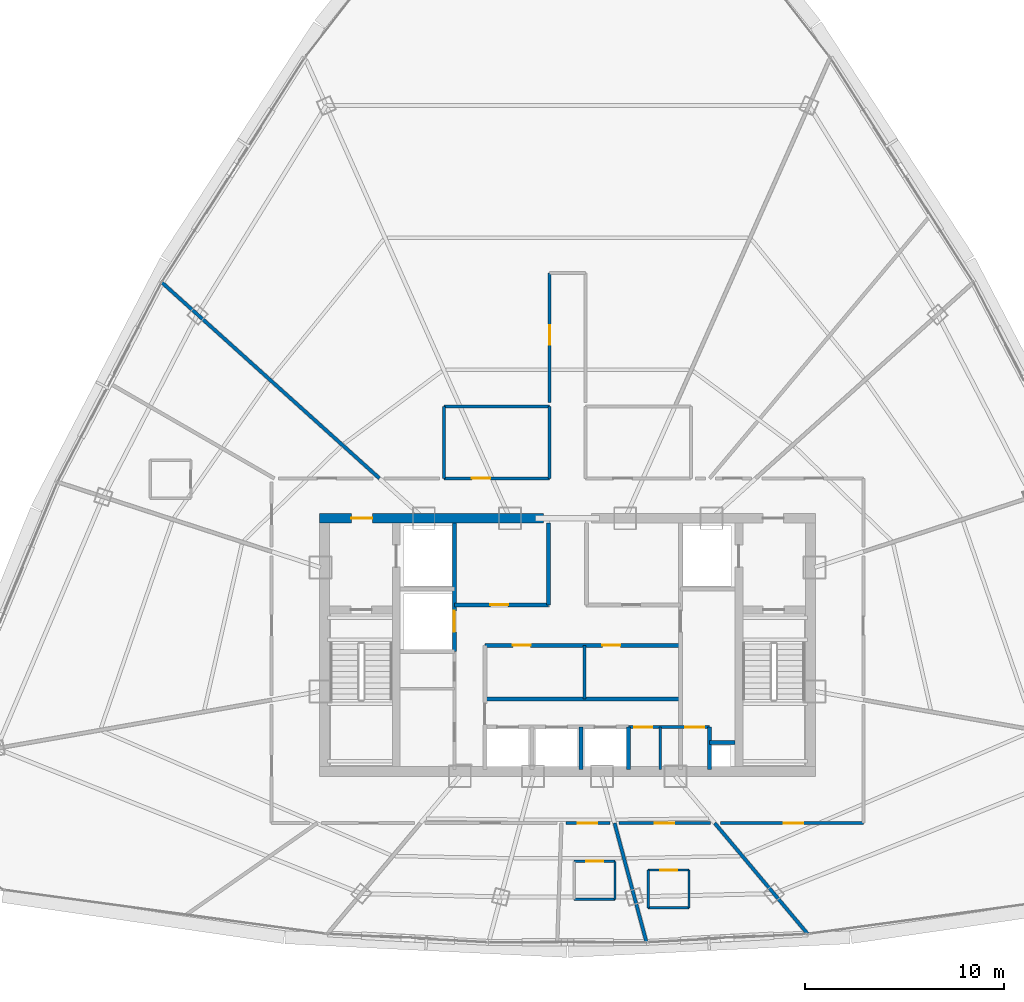
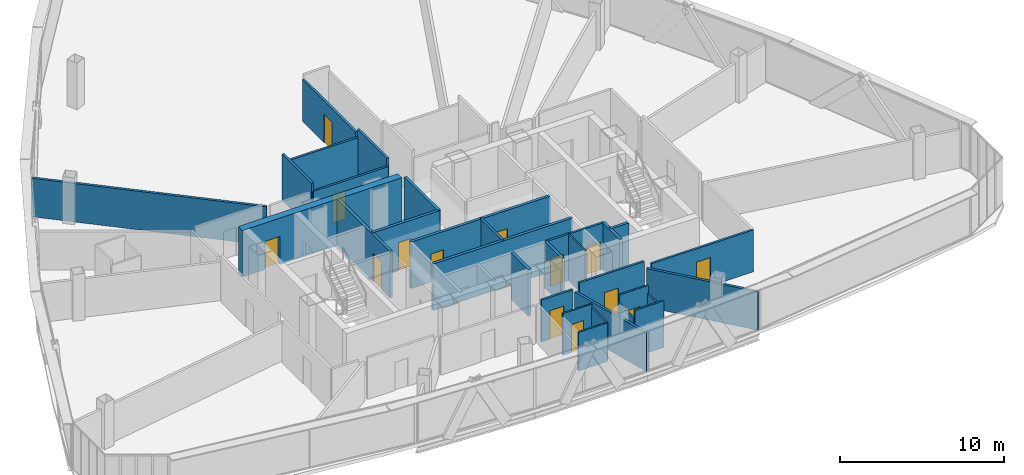
# One storey, part 35 of 40: 31 walls, 14 doors, 14 openings.
"""IFC4 building model written with IfcOpenShell, lengths in metres."""

from ifc_helpers import new_model, si_unit, direction, frame, frame_2d, origin, origin_with_axes, place, context, subcontext, project, spatial, rectangle, extrude, source, transform, mapped, material, layer, layer_set, type_object, element, fill, save


model = new_model("IFC4")

# Units and contexts
model_context = context("Model", 3, precision=1e-05, world=origin(), true_north=direction((0.0, 1.0)))
body_context = subcontext(model_context, "Body", "Model", "MODEL_VIEW")
ifc_project = project(units=[si_unit("LENGTHUNIT", "METRE"), si_unit("AREAUNIT", "SQUARE_METRE"), si_unit("VOLUMEUNIT", "CUBIC_METRE"), si_unit("PLANEANGLEUNIT", "RADIAN"), si_unit("MASSUNIT", "GRAM", prefix="KILO"), si_unit("THERMODYNAMICTEMPERATUREUNIT", "KELVIN"), si_unit("POWERUNIT", "WATT")], contexts=[model_context])

# Site, building, storey
site_placement = place(None, origin())
site = spatial("IfcSite", under=ifc_project, at=site_placement, CompositionType="ELEMENT")
building_placement = place(site_placement, origin())
building = spatial("IfcBuilding", under=site, at=building_placement, Name="Yunzhuo Pagoda Commons", CompositionType="ELEMENT")
storey_placement = place(building_placement, frame((0.0, 0.0, 292.47998046875)))
storey = spatial("IfcBuildingStorey", under=building, at=storey_placement, Name="L73", CompositionType="ELEMENT", Elevation=292.47998046875)

# Wall, opening, door
ifc_material_1 = material(Name="Concrete C50", Category="concrete")
ifc_layer_1 = layer(ifc_material_1, 0.5)
ifc_layer_set_1 = layer_set([ifc_layer_1], Name="Concrete C50")
wall_type_1 = type_object("IfcWallType", Name="W-C03 Upper Core Shear Wall 500", PredefinedType="SHEAR", material=ifc_layer_set_1)
wall_1_placement = place(storey_placement, frame((35.550048828125, 40.199951171875, 0.0), z_axis=(0.0, 0.0, 1.0), x_axis=(1.0, 0.0, 0.0)))
wall_1 = element("IfcWall", 1, at=wall_1_placement, inside=storey, type_object=wall_type_1, Name="L73 core shear wall NW", PredefinedType="SHEAR", context=body_context, shape_type="SweptSolid", body=[
    extrude(rectangle(XDim=11.25, YDim=0.5, at=frame_2d((5.625, 0.0))), origin(), (0.0, 0.0, 1.0), 3.469970703125),
])
opening_1_placement = place(wall_1_placement, frame((1.60009765625, 0.0, 0.0)))
opening_1 = element("IfcOpeningElement", 2, at=opening_1_placement, cuts=wall_1, Name="Opening D-02", PredefinedType="OPENING", context=body_context, shape_type="SweptSolid", body=[
    extrude(rectangle(XDim=1.050048828125, YDim=2.10009765625, at=frame_2d((0.52490234375, 1.050048828125))), frame((0.0, 0.260009765625, 0.0), z_axis=(0.0, -1.0, 0.0), x_axis=(1.0, 0.0, 0.0)), (0.0, 0.0, 1.0), 0.52001953125),
])
ifc_material_2 = material(Name="Galvanized fire-resisting metal leaf")
door_type_1 = type_object("IfcDoorType", Name="D-02 Firefighting Lobby & Refuge Fire Door 1050x2100", OperationType="NOTDEFINED", PredefinedType="DOOR", material=ifc_material_2)
shared_shape_1 = source(origin(), body_context, "Body", "SweptSolid", [
    extrude(rectangle(XDim=1.050048828125, YDim=2.10009765625, at=frame_2d((0.52490234375, 1.050048828125))), frame((0.0, 0.02490234375, 0.0), z_axis=(0.0, -1.0, 0.0), x_axis=(1.0, 0.0, 0.0)), (0.0, 0.0, 1.0), 0.050048828125),
])
door_1_placement = place(opening_1_placement, frame((1.050048828125, 0.0, 0.0), z_axis=(0.0, 0.0, 1.0), x_axis=(-1.0, 0.0, 0.0)))
door_1 = element("IfcDoor", 3, at=door_1_placement, inside=storey, type_object=door_type_1, Name="L73 Firefighting Lobby 1 fire door", OperationType="SINGLE_SWING_LEFT", OverallHeight=2.10009765625, OverallWidth=1.050048828125, PredefinedType="DOOR", context=body_context, shape_type="MappedRepresentation", body=[
    mapped(shared_shape_1, transform((0.0, 0.0, 0.0), scale=1.0)),
])
fill(opening_1, door_1)

# Wall
ifc_material_3 = material(Name="Gypsum plasterboard on acoustic stud")
ifc_layer_2 = layer(ifc_material_3, 0.14990234375)
ifc_layer_set_2 = layer_set([ifc_layer_2], Name="Gypsum plasterboard on acoustic stud")
wall_type_2 = type_object("IfcWallType", Name="W-COR3 High-Zone Rated Corridor Wall 150", PredefinedType="PARTITIONING", material=ifc_layer_set_2)
wall_2_placement = place(storey_placement, frame((48.85009765625, 31.1201171875, 0.0), z_axis=(0.0, 0.0, 1.0), x_axis=(0.0, 1.0, 0.0)))
element("IfcWall", 4, at=wall_2_placement, inside=storey, type_object=wall_type_2, Name="L73 interior wall IW-L73-FRMD", PredefinedType="PARTITIONING", context=body_context, shape_type="SweptSolid", body=[
    extrude(rectangle(XDim=2.699951171875, YDim=0.14990234375, at=frame_2d((1.35009765625, 0.0))), origin(), (0.0, 0.0, 1.0), 3.469970703125),
])

# Wall, openings, doors
wall_3_placement = place(storey_placement, frame((51.050048828125, 29.719970703125, 0.0), z_axis=(0.0, 0.0, 1.0), x_axis=(1.0, 0.0, 0.0)))
wall_3 = element("IfcWall", 5, at=wall_3_placement, inside=storey, type_object=wall_type_2, Name="L73 interior wall IW-L73-CSES", PredefinedType="PARTITIONING", context=body_context, shape_type="SweptSolid", body=[
    extrude(rectangle(XDim=4.070068359375, YDim=0.14990234375, at=frame_2d((2.03515625, 0.0))), origin(), (0.0, 0.0, 1.0), 3.469970703125),
])
opening_2_placement = place(wall_3_placement, frame((0.300048828125, 0.0, 0.0)))
opening_2 = element("IfcOpeningElement", 6, at=opening_2_placement, cuts=wall_3, Name="Opening D-03", PredefinedType="OPENING", context=body_context, shape_type="SweptSolid", body=[
    extrude(rectangle(XDim=0.89990234375, YDim=2.10009765625, at=frame_2d((0.449951171875, 1.050048828125))), frame((0.0, 0.0849609375, 0.0), z_axis=(0.0, -1.0, 0.0), x_axis=(1.0, 0.0, 0.0)), (0.0, 0.0, 1.0), 0.169921875),
])
opening_3_placement = place(wall_3_placement, frame((2.860107421875, 0.0, 0.0)))
opening_3 = element("IfcOpeningElement", 7, at=opening_3_placement, cuts=wall_3, Name="Opening D-11", PredefinedType="OPENING", context=body_context, shape_type="SweptSolid", body=[
    extrude(rectangle(XDim=0.93994140625, YDim=2.10009765625, at=frame_2d((0.469970703125, 1.050048828125))), frame((0.0, 0.0849609375, 0.0), z_axis=(0.0, -1.0, 0.0), x_axis=(1.0, 0.0, 0.0)), (0.0, 0.0, 1.0), 0.169921875),
])
door_type_2 = type_object("IfcDoorType", Name="D-03 Core Service Fire Door 900x2100", OperationType="NOTDEFINED", PredefinedType="DOOR", material=ifc_material_2)
shared_shape_2 = source(origin(), body_context, "Body", "SweptSolid", [
    extrude(rectangle(XDim=0.89990234375, YDim=2.10009765625, at=frame_2d((0.449951171875, 1.050048828125))), frame((0.0, 0.02490234375, 0.0), z_axis=(0.0, -1.0, 0.0), x_axis=(1.0, 0.0, 0.0)), (0.0, 0.0, 1.0), 0.050048828125),
])
door_2_placement = place(opening_2_placement, origin_with_axes())
door_2 = element("IfcDoor", 8, at=door_2_placement, inside=storey, type_object=door_type_2, Name="L73 cleaner door", OperationType="SINGLE_SWING_LEFT", OverallHeight=2.10009765625, OverallWidth=0.89990234375, PredefinedType="DOOR", context=body_context, shape_type="MappedRepresentation", body=[
    mapped(shared_shape_2, transform((0.0, 0.0, 0.0), scale=1.0)),
])
fill(opening_2, door_2)
door_type_3 = type_object("IfcDoorType", Name="D-11 Accessible Washroom Fire Door 940x2100", OperationType="NOTDEFINED", PredefinedType="DOOR", material=ifc_material_2)
shared_shape_3 = source(origin(), body_context, "Body", "SweptSolid", [
    extrude(rectangle(XDim=0.93994140625, YDim=2.10009765625, at=frame_2d((0.469970703125, 1.050048828125))), frame((0.0, 0.02490234375, 0.0), z_axis=(0.0, -1.0, 0.0), x_axis=(1.0, 0.0, 0.0)), (0.0, 0.0, 1.0), 0.050048828125),
])
door_3_placement = place(opening_3_placement, origin_with_axes())
door_3 = element("IfcDoor", 9, at=door_3_placement, inside=storey, type_object=door_type_3, Name="L73 core WC door", OperationType="SINGLE_SWING_RIGHT", OverallHeight=2.10009765625, OverallWidth=0.93994140625, PredefinedType="DOOR", context=body_context, shape_type="MappedRepresentation", body=[
    mapped(shared_shape_3, transform((0.0, 0.0, 0.0), scale=1.0)),
])
fill(opening_3, door_3)

# Wall, opening, door
wall_4_placement = place(storey_placement, frame((41.800048828125, 42.199951171875, 0.0), z_axis=(0.0, 0.0, 1.0), x_axis=(1.0, 0.0, 0.0)))
wall_4 = element("IfcWall", 10, at=wall_4_placement, inside=storey, type_object=wall_type_2, Name="L73 interior wall IW-L73-TFWS", PredefinedType="PARTITIONING", context=body_context, shape_type="SweptSolid", body=[
    extrude(rectangle(XDim=5.300048828125, YDim=0.14990234375, at=frame_2d((2.64990234375, 0.0))), origin(), (0.0, 0.0, 1.0), 2.8701171875),
])
opening_4_placement = place(wall_4_placement, frame((1.39990234375, 0.0, 0.0)))
opening_4 = element("IfcOpeningElement", 11, at=opening_4_placement, cuts=wall_4, Name="Opening D-04", PredefinedType="OPENING", context=body_context, shape_type="SweptSolid", body=[
    extrude(rectangle(XDim=0.919921875, YDim=2.10009765625, at=frame_2d((0.4599609375, 1.050048828125))), frame((0.0, 0.0849609375, 0.0), z_axis=(0.0, -1.0, 0.0), x_axis=(1.0, 0.0, 0.0)), (0.0, 0.0, 1.0), 0.169921875),
])
ifc_material_4 = material(Name="Powder-coated aluminium and timber acoustic leaf", Category="wood")
door_type_4 = type_object("IfcDoorType", Name="D-04 Bedroom & Study Interior Door 920x2100", OperationType="NOTDEFINED", PredefinedType="DOOR", material=ifc_material_4)
shared_shape_4 = source(origin(), body_context, "Body", "SweptSolid", [
    extrude(rectangle(XDim=0.919921875, YDim=2.10009765625, at=frame_2d((0.4599609375, 1.050048828125))), frame((0.0, 0.02490234375, 0.0), z_axis=(0.0, -1.0, 0.0), x_axis=(1.0, 0.0, 0.0)), (0.0, 0.0, 1.0), 0.050048828125),
])
door_4_placement = place(opening_4_placement, frame((0.919921875, 0.0, 0.0), z_axis=(0.0, 0.0, 1.0), x_axis=(-1.0, 0.0, 0.0)))
door_4 = element("IfcDoor", 12, at=door_4_placement, inside=storey, type_object=door_type_4, Name="L73 laundry door", OperationType="SINGLE_SWING_LEFT", OverallHeight=2.10009765625, OverallWidth=0.919921875, PredefinedType="DOOR", context=body_context, shape_type="MappedRepresentation", body=[
    mapped(shared_shape_4, transform((0.0, 0.0, 0.0), scale=1.0)),
])
fill(opening_4, door_4)

# Walls
wall_5_placement = place(storey_placement, frame((41.800048828125, 45.800048828125, 0.0), z_axis=(0.0, 0.0, 1.0), x_axis=(1.0, 0.0, 0.0)))
element("IfcWall", 13, at=wall_5_placement, inside=storey, type_object=wall_type_2, Name="L73 interior wall IW-L73-TFWN", PredefinedType="PARTITIONING", context=body_context, shape_type="SweptSolid", body=[
    extrude(rectangle(XDim=5.300048828125, YDim=0.14990234375, at=frame_2d((2.64990234375, 0.0))), origin(), (0.0, 0.0, 1.0), 2.8701171875),
])
for number, where, z_axis, x_axis, name in (
    (14, (41.800048828125, 42.199951171875, 0.0), (0.0, 0.0, 1.0), (0.0, 1.0, 0.0), "L73 interior wall IW-L73-TFWW"),
    (15, (47.10009765625, 42.199951171875, 0.0), (0.0, 0.0, 1.0), (0.0, 1.0, 0.0), "L73 interior wall IW-L73-TFWE"),
):
    element("IfcWall", number, at=place(storey_placement, frame(where, z_axis=z_axis, x_axis=x_axis)), inside=storey, type_object=wall_type_2, Name=name, PredefinedType="PARTITIONING", context=body_context, shape_type="SweptSolid", body=[
        extrude(rectangle(XDim=3.60009765625, YDim=0.14990234375, at=frame_2d((1.800048828125, 0.0))), origin(), (0.0, 0.0, 1.0), 3.469970703125),
    ])

# Wall, opening, door
wall_6_placement = place(storey_placement, frame((47.10009765625, 46.02001953125, 0.0), z_axis=(0.0, 0.0, 1.0), x_axis=(0.0, 1.0, 0.0)))
wall_6 = element("IfcWall", 16, at=wall_6_placement, inside=storey, type_object=wall_type_2, Name="L73 interior wall IW-L73-CWL06", PredefinedType="PARTITIONING", context=body_context, shape_type="SweptSolid", body=[
    extrude(rectangle(XDim=6.47998046875, YDim=0.14990234375, at=frame_2d((3.239990234375, 0.0))), origin(), (0.0, 0.0, 1.0), 3.1201171875),
])
opening_5_placement = place(wall_6_placement, frame((2.885009765625, 0.0, 0.0)))
opening_5 = element("IfcOpeningElement", 17, at=opening_5_placement, cuts=wall_6, Name="Opening D-08", PredefinedType="OPENING", context=body_context, shape_type="SweptSolid", body=[
    extrude(rectangle(XDim=0.97998046875, YDim=2.1201171875, at=frame_2d((0.489990234375, 1.06005859375))), frame((0.0, 0.0849609375, 0.0), z_axis=(0.0, -1.0, 0.0), x_axis=(1.0, 0.0, 0.0)), (0.0, 0.0, 1.0), 0.169921875),
])
door_type_5 = type_object("IfcDoorType", Name="D-08 High-Zone Suite Entrance Fire Door 980x2120", OperationType="NOTDEFINED", PredefinedType="DOOR", material=ifc_material_2)
shared_shape_5 = source(origin(), body_context, "Body", "SweptSolid", [
    extrude(rectangle(XDim=0.97998046875, YDim=2.1201171875, at=frame_2d((0.489990234375, 1.06005859375))), frame((0.0, 0.02490234375, 0.0), z_axis=(0.0, -1.0, 0.0), x_axis=(1.0, 0.0, 0.0)), (0.0, 0.0, 1.0), 0.050048828125),
])
door_5_placement = place(opening_5_placement, origin_with_axes())
door_5 = element("IfcDoor", 18, at=door_5_placement, inside=storey, type_object=door_type_5, Name="L73 Shared Resident Kitchen and Pantry door", OperationType="SINGLE_SWING_RIGHT", OverallHeight=2.1201171875, OverallWidth=0.97998046875, PredefinedType="DOOR", context=body_context, shape_type="MappedRepresentation", body=[
    mapped(shared_shape_5, transform((0.0, 0.0, 0.0), scale=1.0)),
])
fill(opening_5, door_5)

wall_7_placement = place(storey_placement, frame((62.85009765625, 24.89990234375, 0.0), z_axis=(0.0, 0.0, 1.0), x_axis=(-1.0, 0.0, 0.0)))
wall_7 = element("IfcWall", 19, at=wall_7_placement, inside=storey, type_object=wall_type_2, Name="L73 interior wall IW-L73-CWL15", PredefinedType="PARTITIONING", context=body_context, shape_type="SweptSolid", body=[
    extrude(rectangle(XDim=7.1787109375, YDim=0.14990234375, at=frame_2d((3.58935546875, 0.0))), origin(), (0.0, 0.0, 1.0), 3.1201171875),
])
opening_6_placement = place(wall_7_placement, frame((3.028076171875, 0.0, 0.0)))
opening_6 = element("IfcOpeningElement", 20, at=opening_6_placement, cuts=wall_7, Name="Opening D-08", PredefinedType="OPENING", context=body_context, shape_type="SweptSolid", body=[
    extrude(rectangle(XDim=0.97998046875, YDim=2.1201171875, at=frame_2d((0.489990234375, 1.06005859375))), frame((0.0, 0.0849609375, 0.0), z_axis=(0.0, -1.0, 0.0), x_axis=(1.0, 0.0, 0.0)), (0.0, 0.0, 1.0), 0.169921875),
])
door_6_placement = place(opening_6_placement, origin_with_axes())
door_6 = element("IfcDoor", 21, at=door_6_placement, inside=storey, type_object=door_type_5, Name="L73 unit 14 entrance door", OperationType="SINGLE_SWING_LEFT", OverallHeight=2.1201171875, OverallWidth=0.97998046875, PredefinedType="DOOR", context=body_context, shape_type="MappedRepresentation", body=[
    mapped(shared_shape_5, transform((0.0, 0.0, 0.0), scale=1.0)),
])
fill(opening_6, door_6)

wall_8_placement = place(storey_placement, frame((55.164306640625, 24.89990234375, 0.0), z_axis=(0.0, 0.0, 1.0), x_axis=(-1.0, 0.0, 0.0)))
wall_8 = element("IfcWall", 22, at=wall_8_placement, inside=storey, type_object=wall_type_2, Name="L73 interior wall IW-L73-CWL16", PredefinedType="PARTITIONING", context=body_context, shape_type="SweptSolid", body=[
    extrude(rectangle(XDim=4.57861328125, YDim=0.14990234375, at=frame_2d((2.289306640625, 0.0))), origin(), (0.0, 0.0, 1.0), 3.469970703125),
])
opening_7_placement = place(wall_8_placement, frame((1.818115234375, 0.0, 0.0)))
opening_7 = element("IfcOpeningElement", 23, at=opening_7_placement, cuts=wall_8, Name="Opening D-08", PredefinedType="OPENING", context=body_context, shape_type="SweptSolid", body=[
    extrude(rectangle(XDim=0.97998046875, YDim=2.1201171875, at=frame_2d((0.489990234375, 1.06005859375))), frame((0.0, 0.0849609375, 0.0), z_axis=(0.0, -1.0, 0.0), x_axis=(1.0, 0.0, 0.0)), (0.0, 0.0, 1.0), 0.169921875),
])
door_7_placement = place(opening_7_placement, origin_with_axes())
door_7 = element("IfcDoor", 24, at=door_7_placement, inside=storey, type_object=door_type_5, Name="L73 unit 13 entrance door", OperationType="SINGLE_SWING_RIGHT", OverallHeight=2.1201171875, OverallWidth=0.97998046875, PredefinedType="DOOR", context=body_context, shape_type="MappedRepresentation", body=[
    mapped(shared_shape_5, transform((0.0, 0.0, 0.0), scale=1.0)),
])
fill(opening_7, door_7)

wall_9_placement = place(storey_placement, frame((50.13818359375, 24.89990234375, 0.0), z_axis=(0.0, 0.0, 1.0), x_axis=(-1.0, 0.0, 0.0)))
wall_9 = element("IfcWall", 25, at=wall_9_placement, inside=storey, type_object=wall_type_2, Name="L73 interior wall IW-L73-CWL17", PredefinedType="PARTITIONING", context=body_context, shape_type="SweptSolid", body=[
    extrude(rectangle(XDim=2.2255859375, YDim=0.14990234375, at=frame_2d((1.11279296875, 0.0))), origin(), (0.0, 0.0, 1.0), 3.1201171875),
])
opening_8_placement = place(wall_9_placement, frame((0.6376953125, 0.0, 0.0)))
opening_8 = element("IfcOpeningElement", 26, at=opening_8_placement, cuts=wall_9, Name="Opening D-08", PredefinedType="OPENING", context=body_context, shape_type="SweptSolid", body=[
    extrude(rectangle(XDim=0.97998046875, YDim=2.1201171875, at=frame_2d((0.489990234375, 1.06005859375))), frame((0.0, 0.0849609375, 0.0), z_axis=(0.0, -1.0, 0.0), x_axis=(1.0, 0.0, 0.0)), (0.0, 0.0, 1.0), 0.169921875),
])
door_8_placement = place(opening_8_placement, origin_with_axes())
door_8 = element("IfcDoor", 27, at=door_8_placement, inside=storey, type_object=door_type_5, Name="L73 unit 12 entrance door", OperationType="SINGLE_SWING_LEFT", OverallHeight=2.1201171875, OverallWidth=0.97998046875, PredefinedType="DOOR", context=body_context, shape_type="MappedRepresentation", body=[
    mapped(shared_shape_5, transform((0.0, 0.0, 0.0), scale=1.0)),
])
fill(opening_8, door_8)

# Walls
ifc_layer_3 = layer(ifc_material_3, 0.1201171875)
ifc_layer_set_3 = layer_set([ifc_layer_3], Name="Gypsum plasterboard on acoustic stud")
wall_type_3 = type_object("IfcWallType", Name="W-PRT1 Suite & Bathroom Partition 120", PredefinedType="PARTITIONING", material=ifc_layer_set_3)
wall_10_placement = place(storey_placement, frame((52.64990234375, 27.60009765625, 0.0), z_axis=(0.0, 0.0, 1.0), x_axis=(0.0, 1.0, 0.0)))
element("IfcWall", 28, at=wall_10_placement, inside=storey, type_object=wall_type_3, Name="L73 interior wall IW-L73-CD2", PredefinedType="PARTITIONING", context=body_context, shape_type="SweptSolid", body=[
    extrude(rectangle(XDim=2.119873046875, YDim=0.1201171875, at=frame_2d((1.06005859375, 0.0))), origin(), (0.0, 0.0, 1.0), 3.469970703125),
])
wall_11_placement = place(storey_placement, frame((48.3310546875, 21.074951171875, 0.0), z_axis=(0.0, 0.0, 1.0), x_axis=(1.0, 0.0, 0.0)))
element("IfcWall", 29, at=wall_11_placement, inside=storey, type_object=wall_type_3, Name="L73 interior wall IW-L73-B12S", PredefinedType="PARTITIONING", context=body_context, shape_type="SweptSolid", body=[
    extrude(rectangle(XDim=2.050048828125, YDim=0.1201171875, at=frame_2d((1.02490234375, 0.0))), origin(), (0.0, 0.0, 1.0), 2.8701171875),
])
wall_12_placement = place(storey_placement, frame((50.381103515625, 21.074951171875, 0.0), z_axis=(0.0, 0.0, 1.0), x_axis=(0.0, 1.0, 0.0)))
element("IfcWall", 30, at=wall_12_placement, inside=storey, type_object=wall_type_3, Name="L73 interior wall IW-L73-B12E", PredefinedType="PARTITIONING", context=body_context, shape_type="SweptSolid", body=[
    extrude(rectangle(XDim=1.900146484375, YDim=0.1201171875, at=frame_2d((0.9501953125, 0.0))), origin(), (0.0, 0.0, 1.0), 2.8701171875),
])

# Wall, opening, door
wall_13_placement = place(storey_placement, frame((50.381103515625, 22.97509765625, 0.0), z_axis=(0.0, 0.0, 1.0), x_axis=(-1.0, 0.0, 0.0)))
wall_13 = element("IfcWall", 31, at=wall_13_placement, inside=storey, type_object=wall_type_3, Name="L73 interior wall IW-L73-B12N", PredefinedType="PARTITIONING", context=body_context, shape_type="SweptSolid", body=[
    extrude(rectangle(XDim=2.050048828125, YDim=0.1201171875, at=frame_2d((1.02490234375, 0.0))), origin(), (0.0, 0.0, 1.0), 3.1201171875),
])
opening_9_placement = place(wall_13_placement, frame((0.60009765625, 0.0, 0.0)))
opening_9 = element("IfcOpeningElement", 32, at=opening_9_placement, cuts=wall_13, Name="Opening D-05", PredefinedType="OPENING", context=body_context, shape_type="SweptSolid", body=[
    extrude(rectangle(XDim=0.85009765625, YDim=2.10009765625, at=frame_2d((0.425048828125, 1.050048828125))), frame((0.0, 0.070068359375, 0.0), z_axis=(0.0, -1.0, 0.0), x_axis=(1.0, 0.0, 0.0)), (0.0, 0.0, 1.0), 0.14013671875),
])
door_type_6 = type_object("IfcDoorType", Name="D-05 En-Suite Bathroom Door 850x2100", OperationType="NOTDEFINED", PredefinedType="DOOR", material=ifc_material_4)
shared_shape_6 = source(origin(), body_context, "Body", "SweptSolid", [
    extrude(rectangle(XDim=0.85009765625, YDim=2.10009765625, at=frame_2d((0.425048828125, 1.050048828125))), frame((0.0, 0.02490234375, 0.0), z_axis=(0.0, -1.0, 0.0), x_axis=(1.0, 0.0, 0.0)), (0.0, 0.0, 1.0), 0.050048828125),
])
door_9_placement = place(opening_9_placement, frame((0.85009765625, 0.0, 0.0), z_axis=(0.0, 0.0, 1.0), x_axis=(-1.0, 0.0, 0.0)))
door_9 = element("IfcDoor", 33, at=door_9_placement, inside=storey, type_object=door_type_6, Name="L73 unit 12 bathroom door", OperationType="SINGLE_SWING_LEFT", OverallHeight=2.10009765625, OverallWidth=0.85009765625, PredefinedType="DOOR", context=body_context, shape_type="MappedRepresentation", body=[
    mapped(shared_shape_6, transform((0.0, 0.0, 0.0), scale=1.0)),
])
fill(opening_9, door_9)

# Walls
wall_14_placement = place(storey_placement, frame((52.044921875, 20.64306640625, 0.0), z_axis=(0.0, 0.0, 1.0), x_axis=(1.0, 0.0, 0.0)))
element("IfcWall", 34, at=wall_14_placement, inside=storey, type_object=wall_type_3, Name="L73 interior wall IW-L73-B13S", PredefinedType="PARTITIONING", context=body_context, shape_type="SweptSolid", body=[
    extrude(rectangle(XDim=2.050048828125, YDim=0.1201171875, at=frame_2d((1.02490234375, 0.0))), origin(), (0.0, 0.0, 1.0), 3.469970703125),
])
wall_15_placement = place(storey_placement, frame((54.094970703125, 20.64306640625, 0.0), z_axis=(0.0, 0.0, 1.0), x_axis=(0.0, 1.0, 0.0)))
element("IfcWall", 35, at=wall_15_placement, inside=storey, type_object=wall_type_3, Name="L73 interior wall IW-L73-B13E", PredefinedType="PARTITIONING", context=body_context, shape_type="SweptSolid", body=[
    extrude(rectangle(XDim=1.89990234375, YDim=0.1201171875, at=frame_2d((0.949951171875, 0.0))), origin(), (0.0, 0.0, 1.0), 2.8701171875),
])

# Wall, opening, door
wall_16_placement = place(storey_placement, frame((54.094970703125, 22.54296875, 0.0), z_axis=(0.0, 0.0, 1.0), x_axis=(-1.0, 0.0, 0.0)))
wall_16 = element("IfcWall", 36, at=wall_16_placement, inside=storey, type_object=wall_type_3, Name="L73 interior wall IW-L73-B13N", PredefinedType="PARTITIONING", context=body_context, shape_type="SweptSolid", body=[
    extrude(rectangle(XDim=2.050048828125, YDim=0.1201171875, at=frame_2d((1.02490234375, 0.0))), origin(), (0.0, 0.0, 1.0), 3.469970703125),
])
opening_10_placement = place(wall_16_placement, frame((0.60009765625, 0.0, 0.0)))
opening_10 = element("IfcOpeningElement", 37, at=opening_10_placement, cuts=wall_16, Name="Opening D-05", PredefinedType="OPENING", context=body_context, shape_type="SweptSolid", body=[
    extrude(rectangle(XDim=0.85009765625, YDim=2.10009765625, at=frame_2d((0.425048828125, 1.050048828125))), frame((0.0, 0.070068359375, 0.0), z_axis=(0.0, -1.0, 0.0), x_axis=(1.0, 0.0, 0.0)), (0.0, 0.0, 1.0), 0.14013671875),
])
door_10_placement = place(opening_10_placement, frame((0.85009765625, 0.0, 0.0), z_axis=(0.0, 0.0, 1.0), x_axis=(-1.0, 0.0, 0.0)))
door_10 = element("IfcDoor", 38, at=door_10_placement, inside=storey, type_object=door_type_6, Name="L73 unit 13 bathroom door", OperationType="SINGLE_SWING_RIGHT", OverallHeight=2.10009765625, OverallWidth=0.85009765625, PredefinedType="DOOR", context=body_context, shape_type="MappedRepresentation", body=[
    mapped(shared_shape_6, transform((0.0, 0.0, 0.0), scale=1.0)),
])
fill(opening_10, door_10)

# Walls
wall_17_placement = place(storey_placement, frame((52.044921875, 22.54296875, 0.0), z_axis=(0.0, 0.0, 1.0), x_axis=(0.0, -1.0, 0.0)))
element("IfcWall", 39, at=wall_17_placement, inside=storey, type_object=wall_type_3, Name="L73 interior wall IW-L73-B13W", PredefinedType="PARTITIONING", context=body_context, shape_type="SweptSolid", body=[
    extrude(rectangle(XDim=1.89990234375, YDim=0.1201171875, at=frame_2d((0.949951171875, 0.0))), origin(), (0.0, 0.0, 1.0), 2.8701171875),
])
ifc_layer_4 = layer(ifc_material_3, 0.169921875)
ifc_layer_set_4 = layer_set([ifc_layer_4], Name="Gypsum plasterboard on acoustic stud")
wall_type_4 = type_object("IfcWallType", Name="W-PRT4 High-Zone Demising Wall 170", PredefinedType="PARTITIONING", material=ifc_layer_set_4)
wall_18_placement = place(storey_placement, frame((38.559814453125, 42.199951171875, 0.0), z_axis=(0.0, 0.0, 1.0), x_axis=(-0.743145593795, 0.669129753055, 0.0)))
element("IfcWall", 40, at=wall_18_placement, inside=storey, type_object=wall_type_4, Name="L73 interior wall IW-L73-RAD05", PredefinedType="PARTITIONING", context=body_context, shape_type="SweptSolid", body=[
    extrude(rectangle(XDim=14.711181640625, YDim=0.169921875, at=frame_2d((7.35546875, 0.0))), origin(), (0.0, 0.0, 1.0), 2.8701171875),
])
wall_19_placement = place(storey_placement, frame((50.35791015625, 24.89990234375, 0.0), z_axis=(0.0, 0.0, 1.0), x_axis=(0.258843673448, -0.965919226807, 0.0)))
element("IfcWall", 41, at=wall_19_placement, inside=storey, type_object=wall_type_4, Name="L73 interior wall IW-L73-RAD12", PredefinedType="PARTITIONING", context=body_context, shape_type="SweptSolid", body=[
    extrude(rectangle(XDim=6.20068359375, YDim=0.169921875, at=frame_2d((3.100341796875, 0.0))), origin(), (0.0, 0.0, 1.0), 2.8701171875),
])
wall_20_placement = place(storey_placement, frame((55.384033203125, 24.89990234375, 0.0), z_axis=(0.0, 0.0, 1.0), x_axis=(0.642798027821, -0.766035701146, 0.0)))
element("IfcWall", 42, at=wall_20_placement, inside=storey, type_object=wall_type_4, Name="L73 interior wall IW-L73-RAD13", PredefinedType="PARTITIONING", context=body_context, shape_type="SweptSolid", body=[
    extrude(rectangle(XDim=7.2666015625, YDim=0.169921875, at=frame_2d((3.63330078125, 0.0))), origin(), (0.0, 0.0, 1.0), 2.8701171875),
])

# Wall, opening, door
ifc_material_5 = material(Name="Concrete C40", Category="concrete")
ifc_layer_5 = layer(ifc_material_5, 0.199951171875)
ifc_layer_set_5 = layer_set([ifc_layer_5], Name="Concrete C40")
wall_type_5 = type_object("IfcWallType", Name="W-SHF Shaft & Stair Enclosure Wall 200", PredefinedType="SOLIDWALL", material=ifc_layer_set_5)
wall_21_placement = place(storey_placement, frame((42.320068359375, 33.5, 0.0), z_axis=(0.0, 0.0, 1.0), x_axis=(0.0, 1.0, 0.0)))
wall_21 = element("IfcWall", 43, at=wall_21_placement, inside=storey, type_object=wall_type_5, Name="L73 interior wall IW-L73-FL1E", PredefinedType="SOLIDWALL", context=body_context, shape_type="SweptSolid", body=[
    extrude(rectangle(XDim=6.449951171875, YDim=0.199951171875, at=frame_2d((3.22509765625, 0.0))), origin(), (0.0, 0.0, 1.0), 3.469970703125),
])
opening_11_placement = place(wall_21_placement, frame((1.0, 0.0, 0.0)))
opening_11 = element("IfcOpeningElement", 44, at=opening_11_placement, cuts=wall_21, Name="Opening LD-02", PredefinedType="OPENING", context=body_context, shape_type="SweptSolid", body=[
    extrude(rectangle(XDim=1.050048828125, YDim=2.10009765625, at=frame_2d((0.52490234375, 1.050048828125))), frame((0.0, 0.10986328125, 0.0), z_axis=(0.0, -1.0, 0.0), x_axis=(1.0, 0.0, 0.0)), (0.0, 0.0, 1.0), 0.219970703125),
])
door_type_7 = type_object("IfcDoorType", Name="LD-02 Passenger Lift Landing Door 1050x2100", OperationType="DOUBLE_DOOR_SLIDING", PredefinedType="DOOR", material=ifc_material_2)
door_11_placement = place(opening_11_placement, origin_with_axes())
door_11 = element("IfcDoor", 45, at=door_11_placement, inside=storey, type_object=door_type_7, Name="L73 Service lift SL-1 landing door", OperationType="DOUBLE_DOOR_SLIDING", OverallHeight=2.10009765625, OverallWidth=1.050048828125, PredefinedType="DOOR", context=body_context, shape_type="MappedRepresentation", body=[
    mapped(shared_shape_1, transform((0.0, 0.0, 0.0), scale=1.0)),
])
fill(opening_11, door_11)

wall_22_placement = place(storey_placement, frame((42.320068359375, 35.85009765625, 0.0), z_axis=(0.0, 0.0, 1.0), x_axis=(1.0, 0.0, 0.0)))
wall_22 = element("IfcWall", 46, at=wall_22_placement, inside=storey, type_object=wall_type_5, Name="L73 interior wall IW-L73-LBNW", PredefinedType="SOLIDWALL", context=body_context, shape_type="SweptSolid", body=[
    extrude(rectangle(XDim=4.72998046875, YDim=0.199951171875, at=frame_2d((2.364990234375, 0.0))), origin(), (0.0, 0.0, 1.0), 3.469970703125),
])
opening_12_placement = place(wall_22_placement, frame((1.800048828125, 0.0, 0.0)))
opening_12 = element("IfcOpeningElement", 47, at=opening_12_placement, cuts=wall_22, Name="Opening D-03", PredefinedType="OPENING", context=body_context, shape_type="SweptSolid", body=[
    extrude(rectangle(XDim=0.89990234375, YDim=2.10009765625, at=frame_2d((0.449951171875, 1.050048828125))), frame((0.0, 0.10986328125, 0.0), z_axis=(0.0, -1.0, 0.0), x_axis=(1.0, 0.0, 0.0)), (0.0, 0.0, 1.0), 0.219970703125),
])
door_12_placement = place(opening_12_placement, frame((0.89990234375, 0.0, 0.0), z_axis=(0.0, 0.0, 1.0), x_axis=(-1.0, 0.0, 0.0)))
door_12 = element("IfcDoor", 48, at=door_12_placement, inside=storey, type_object=door_type_2, Name="L73 core west store door", OperationType="SINGLE_SWING_LEFT", OverallHeight=2.10009765625, OverallWidth=0.89990234375, PredefinedType="DOOR", context=body_context, shape_type="MappedRepresentation", body=[
    mapped(shared_shape_2, transform((0.0, 0.0, 0.0), scale=1.0)),
])
fill(opening_12, door_12)

# Wall
wall_23_placement = place(storey_placement, frame((47.050048828125, 35.85009765625, 0.0), z_axis=(0.0, 0.0, 1.0), x_axis=(0.0, 1.0, 0.0)))
element("IfcWall", 49, at=wall_23_placement, inside=storey, type_object=wall_type_5, Name="L73 interior wall IW-L73-THRW", PredefinedType="SOLIDWALL", context=body_context, shape_type="SweptSolid", body=[
    extrude(rectangle(XDim=4.099853515625, YDim=0.199951171875, at=frame_2d((2.0498046875, 0.0))), origin(), (0.0, 0.0, 1.0), 3.469970703125),
])

# Wall, openings, doors
wall_24_placement = place(storey_placement, frame((43.85009765625, 33.820068359375, 0.0), z_axis=(0.0, 0.0, 1.0), x_axis=(1.0, 0.0, 0.0)))
wall_24 = element("IfcWall", 50, at=wall_24_placement, inside=storey, type_object=wall_type_5, Name="L73 interior wall IW-L73-MLBS", PredefinedType="SOLIDWALL", context=body_context, shape_type="SweptSolid", body=[
    extrude(rectangle(XDim=9.829833984375, YDim=0.199951171875, at=frame_2d((4.9150390625, 0.0))), origin(), (0.0, 0.0, 1.0), 3.469970703125),
])
opening_13_placement = place(wall_24_placement, frame((1.39990234375, 0.0, 0.0)))
opening_13 = element("IfcOpeningElement", 51, at=opening_13_placement, cuts=wall_24, Name="Opening D-03", PredefinedType="OPENING", context=body_context, shape_type="SweptSolid", body=[
    extrude(rectangle(XDim=0.89990234375, YDim=2.10009765625, at=frame_2d((0.449951171875, 1.050048828125))), frame((0.0, 0.10986328125, 0.0), z_axis=(0.0, -1.0, 0.0), x_axis=(1.0, 0.0, 0.0)), (0.0, 0.0, 1.0), 0.219970703125),
])
opening_14_placement = place(wall_24_placement, frame((5.89990234375, 0.0, 0.0)))
opening_14 = element("IfcOpeningElement", 52, at=opening_14_placement, cuts=wall_24, Name="Opening D-03", PredefinedType="OPENING", context=body_context, shape_type="SweptSolid", body=[
    extrude(rectangle(XDim=0.89990234375, YDim=2.10009765625, at=frame_2d((0.449951171875, 1.050048828125))), frame((0.0, 0.10986328125, 0.0), z_axis=(0.0, -1.0, 0.0), x_axis=(1.0, 0.0, 0.0)), (0.0, 0.0, 1.0), 0.219970703125),
])
door_13_placement = place(opening_13_placement, origin_with_axes())
door_13 = element("IfcDoor", 53, at=door_13_placement, inside=storey, type_object=door_type_2, Name="L73 core mid-west store door", OperationType="SINGLE_SWING_LEFT", OverallHeight=2.10009765625, OverallWidth=0.89990234375, PredefinedType="DOOR", context=body_context, shape_type="MappedRepresentation", body=[
    mapped(shared_shape_2, transform((0.0, 0.0, 0.0), scale=1.0)),
])
fill(opening_13, door_13)
door_14_placement = place(opening_14_placement, origin_with_axes())
door_14 = element("IfcDoor", 54, at=door_14_placement, inside=storey, type_object=door_type_2, Name="L73 core mid-east store door", OperationType="SINGLE_SWING_RIGHT", OverallHeight=2.10009765625, OverallWidth=0.89990234375, PredefinedType="DOOR", context=body_context, shape_type="MappedRepresentation", body=[
    mapped(shared_shape_2, transform((0.0, 0.0, 0.0), scale=1.0)),
])
fill(opening_14, door_14)

# Walls
wall_25_placement = place(storey_placement, frame((51.050048828125, 27.60009765625, 0.0), z_axis=(0.0, 0.0, 1.0), x_axis=(0.0, 1.0, 0.0)))
element("IfcWall", 55, at=wall_25_placement, inside=storey, type_object=wall_type_5, Name="L73 interior wall IW-L73-PLHE", PredefinedType="SOLIDWALL", context=body_context, shape_type="SweptSolid", body=[
    extrude(rectangle(XDim=2.119873046875, YDim=0.199951171875, at=frame_2d((1.06005859375, 0.0))), origin(), (0.0, 0.0, 1.0), 3.469970703125),
])
wall_26_placement = place(storey_placement, frame((43.85009765625, 31.1201171875, 0.0), z_axis=(0.0, 0.0, 1.0), x_axis=(1.0, 0.0, 0.0)))
element("IfcWall", 56, at=wall_26_placement, inside=storey, type_object=wall_type_5, Name="L73 interior wall IW-L73-PLMS2", PredefinedType="SOLIDWALL", context=body_context, shape_type="SweptSolid", body=[
    extrude(rectangle(XDim=9.829833984375, YDim=0.199951171875, at=frame_2d((4.9150390625, 0.0))), origin(), (0.0, 0.0, 1.0), 3.469970703125),
])
for number, where, z_axis, x_axis, name in (
    (57, (48.675048828125, 27.60009765625, 0.0), (0.0, 0.0, 1.0), (0.0, 1.0, 0.0), "L73 interior wall IW-L73-PLHD2"),
    (58, (55.1201171875, 27.60009765625, 0.0), (0.0, 0.0, 1.0), (0.0, 1.0, 0.0), "L73 interior wall IW-L73-RSHFW"),
):
    element("IfcWall", number, at=place(storey_placement, frame(where, z_axis=z_axis, x_axis=x_axis)), inside=storey, type_object=wall_type_5, Name=name, PredefinedType="SOLIDWALL", context=body_context, shape_type="SweptSolid", body=[
        extrude(rectangle(XDim=2.119873046875, YDim=0.199951171875, at=frame_2d((1.06005859375, 0.0))), origin(), (0.0, 0.0, 1.0), 3.469970703125),
    ])
wall_27_placement = place(storey_placement, frame((55.1201171875, 28.949951171875, 0.0), z_axis=(0.0, 0.0, 1.0), x_axis=(1.0, 0.0, 0.0)))
element("IfcWall", 59, at=wall_27_placement, inside=storey, type_object=wall_type_5, Name="L73 interior wall IW-L73-RSHFN", PredefinedType="SOLIDWALL", context=body_context, shape_type="SweptSolid", body=[
    extrude(rectangle(XDim=1.27978515625, YDim=0.199951171875, at=frame_2d((0.639892578125, 0.0))), origin(), (0.0, 0.0, 1.0), 3.469970703125),
])

save(model, "model.ifc")
